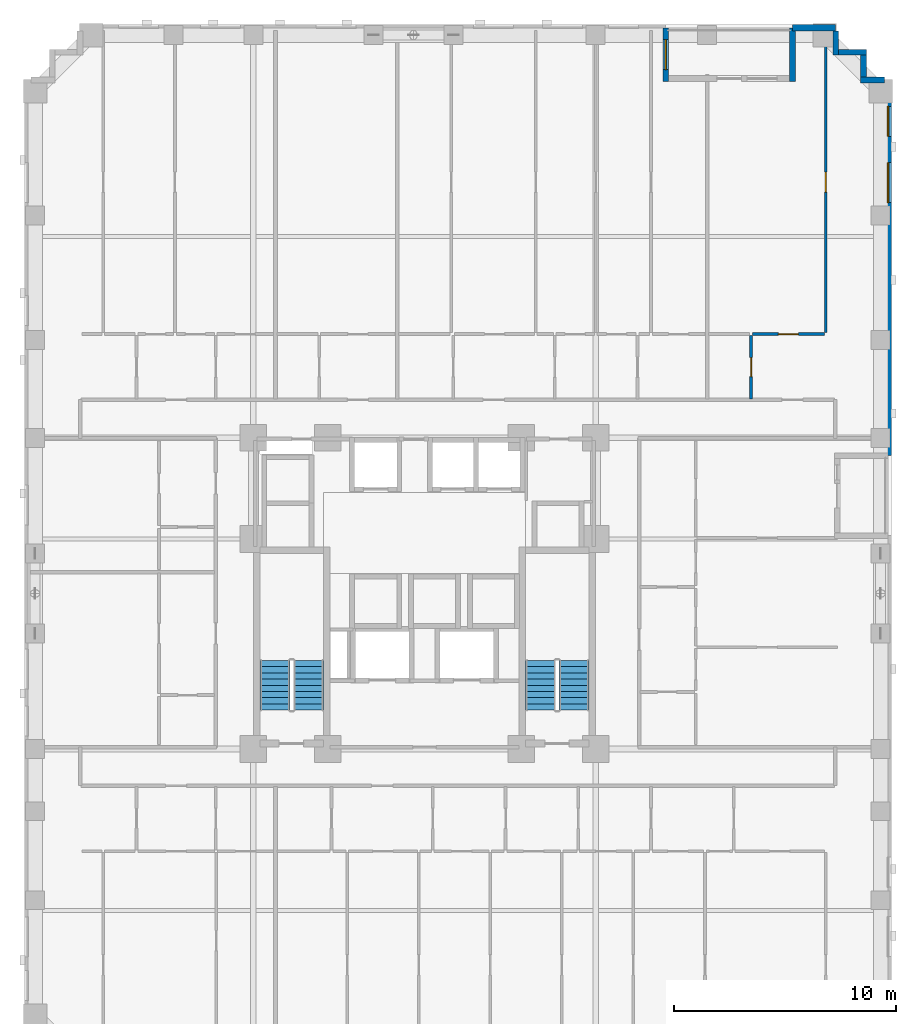
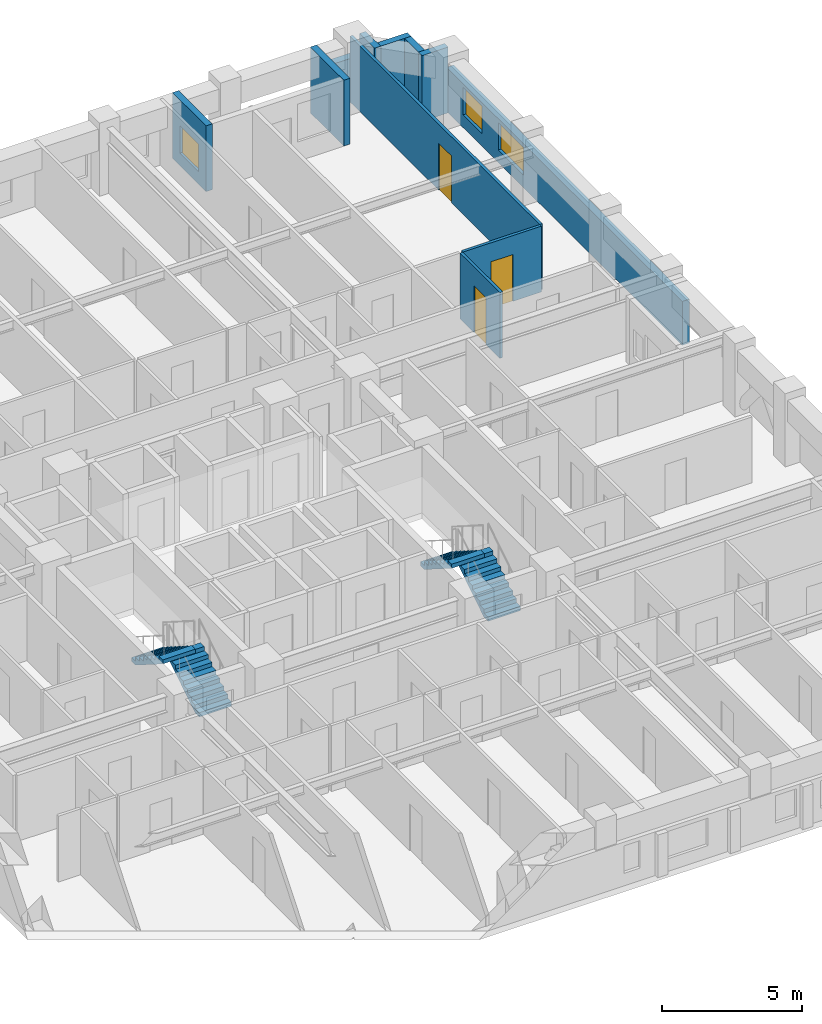
# One storey, part 9 of 14: 11 walls, 4 stair flights, 3 doors, 3 windows, 6 openings, 2 elements without a shape of their own.
"""IFC4 building model written with IfcOpenShell, lengths in metres."""

from ifc_helpers import new_model, si_unit, derived_unit, direction, frame, frame_2d, origin, place, context, subcontext, project, spatial, polyline, rectangle, outline, extrude, material, layer, layer_set, type_object, element, fill, aggregate, save


model = new_model("IFC4")

# Units and contexts
model_context = context("Model", 3, precision=1e-05, world=origin(), true_north=direction((0.0, 1.0)))
body_context = subcontext(model_context, "Body", "Model", "MODEL_VIEW")
ifc_project = project(units=[si_unit("LENGTHUNIT", "METRE"), si_unit("AREAUNIT", "SQUARE_METRE"), si_unit("VOLUMEUNIT", "CUBIC_METRE"), si_unit("PLANEANGLEUNIT", "RADIAN"), si_unit("MASSUNIT", "GRAM", prefix="KILO"), derived_unit("THERMALTRANSMITTANCEUNIT", [(si_unit("MASSUNIT", "GRAM", prefix="KILO"), 1), (si_unit("TIMEUNIT", "SECOND"), -3), (si_unit("THERMODYNAMICTEMPERATUREUNIT", "KELVIN"), -1)])], contexts=[model_context])

# Site, building, storey
site_placement = place(None, origin())
site = spatial("IfcSite", under=ifc_project, at=site_placement, CompositionType="ELEMENT")
building_placement = place(site_placement, origin())
building = spatial("IfcBuilding", under=site, at=building_placement, Name="Korrvale Station Residences", CompositionType="ELEMENT")
storey_placement = place(building_placement, frame((0.0, 0.0, 67.39990234375)))
storey = spatial("IfcBuildingStorey", under=building, at=storey_placement, Name="L18", CompositionType="ELEMENT", Elevation=67.39990234375)

# Wall, opening, window
ifc_material_1 = material(Name="Precast concrete C45/55", Category="concrete")
ifc_layer_1 = layer(ifc_material_1, 0.260009765625, Name="Precast concrete C45/55")
ifc_layer_set_1 = layer_set([ifc_layer_1], Name="Precast concrete C45/55")
wall_type_1 = type_object("IfcWallType", Name="WAL-EXT-LOG260", PredefinedType="SOLIDWALL", material=ifc_layer_set_1)
wall_1_placement = place(storey_placement, frame((36.35009765625, 47.43994140625, 0.0), z_axis=(0.0, 0.0, 1.0), x_axis=(0.0, -1.0, 0.0)))
wall_1 = element("IfcWall", 1, at=wall_1_placement, inside=storey, type_object=wall_type_1, Name="L18 Recessed Loggia Wall BAL-L18-N1-L", PredefinedType="SOLIDWALL", context=body_context, shape_type="SweptSolid", body=[
    extrude(rectangle(XDim=2.39990234375, YDim=0.260009765625, at=frame_2d((1.199951171875, 0.0))), origin(), (0.0, 0.0, 1.0), 2.880126953125),
])
opening_1_placement = place(wall_1_placement, frame((0.52490234375, 0.0, 0.550048828125)))
opening_1 = element("IfcOpeningElement", 2, at=opening_1_placement, cuts=wall_1, Name="Opening W-10", PredefinedType="OPENING", context=body_context, shape_type="SweptSolid", body=[
    extrude(rectangle(XDim=1.35009765625, YDim=1.199951171875, at=frame_2d((0.675048828125, 0.60009765625))), frame((0.0, 0.14013671875, 0.0), z_axis=(0.0, -1.0, 0.0), x_axis=(1.0, 0.0, 0.0)), (0.0, 0.0, 1.0), 0.280029296875),
])
ifc_material_2 = material(Name="Thermally broken aluminium frame with triple low-e glazing", Category="aluminium")
window_type_1 = type_object("IfcWindowType", Name="WIN-W10", PartitioningType="SINGLE_PANEL", PredefinedType="WINDOW", material=ifc_material_2)
window_1_placement = place(opening_1_placement, origin())
window_1 = element("IfcWindow", 3, at=window_1_placement, inside=storey, type_object=window_type_1, Name="L18 Punched Window 21", OverallHeight=1.199951171875, OverallWidth=1.35009765625, PartitioningType="SINGLE_PANEL", PredefinedType="WINDOW", context=body_context, shape_type="SweptSolid", body=[
    extrude(rectangle(XDim=1.35009765625, YDim=1.199951171875, at=frame_2d((0.675048828125, 0.60009765625))), frame((0.0, 0.030029296875, 0.0), z_axis=(0.0, -1.0, 0.0), x_axis=(1.0, 0.0, 0.0)), (0.0, 0.0, 1.0), 0.06005859375),
])
fill(opening_1, window_1)

# Walls
wall_2_placement = place(storey_placement, frame((42.050048828125, 45.0400390625, 0.0), z_axis=(0.0, 0.0, 1.0), x_axis=(0.0, 1.0, 0.0)))
element("IfcWall", 4, at=wall_2_placement, inside=storey, type_object=wall_type_1, Name="L18 Recessed Loggia Wall BAL-L18-N1-R", PredefinedType="SOLIDWALL", context=body_context, shape_type="SweptSolid", body=[
    extrude(rectangle(XDim=2.39990234375, YDim=0.260009765625, at=frame_2d((1.199951171875, 0.0))), origin(), (0.0, 0.0, 1.0), 2.880126953125),
])
wall_3_placement = place(storey_placement, frame((44.0, 47.298095703125, 0.0), z_axis=(0.0, 0.0, 1.0), x_axis=(0.0, -1.0, 0.0)))
element("IfcWall", 5, at=wall_3_placement, inside=storey, type_object=wall_type_1, Name="L18 Serrated Corner Precast Step NE-1", PredefinedType="SOLIDWALL", context=body_context, shape_type="SweptSolid", body=[
    extrude(rectangle(XDim=1.078125, YDim=0.260009765625, at=frame_2d((0.5390625, 0.0))), origin(), (0.0, 0.0, 1.0), 2.880126953125),
])
wall_4_placement = place(storey_placement, frame((44.132080078125, 46.35009765625, 0.0), z_axis=(0.0, 0.0, 1.0), x_axis=(1.0, 0.0, 0.0)))
element("IfcWall", 6, at=wall_4_placement, inside=storey, type_object=wall_type_1, Name="L18 Serrated Corner Precast Step NE-2", PredefinedType="SOLIDWALL", context=body_context, shape_type="SweptSolid", body=[
    extrude(rectangle(XDim=1.247802734375, YDim=0.260009765625, at=frame_2d((0.6240234375, 0.0))), origin(), (0.0, 0.0, 1.0), 2.880126953125),
])
wall_5_placement = place(storey_placement, frame((45.25, 46.218017578125, 0.0), z_axis=(0.0, 0.0, 1.0), x_axis=(0.0, -1.0, 0.0)))
element("IfcWall", 7, at=wall_5_placement, inside=storey, type_object=wall_type_1, Name="L18 Serrated Corner Precast Step NE-3", PredefinedType="SOLIDWALL", context=body_context, shape_type="SweptSolid", body=[
    extrude(rectangle(XDim=0.986083984375, YDim=0.260009765625, at=frame_2d((0.4931640625, 0.0))), origin(), (0.0, 0.0, 1.0), 2.880126953125),
])
wall_6_placement = place(storey_placement, frame((45.1201171875, 45.10009765625, 0.0), z_axis=(0.0, 0.0, 1.0), x_axis=(1.0, 0.0, 0.0)))
element("IfcWall", 8, at=wall_6_placement, inside=storey, type_object=wall_type_1, Name="L18 Serrated Corner Precast Step NE-4", PredefinedType="SOLIDWALL", context=body_context, shape_type="SweptSolid", body=[
    extrude(rectangle(XDim=1.077880859375, YDim=0.260009765625, at=frame_2d((0.5390625, 0.0))), origin(), (0.0, 0.0, 1.0), 2.880126953125),
])
ifc_layer_2 = layer(ifc_material_1, 0.300048828125, Name="Precast concrete C45/55")
ifc_layer_set_2 = layer_set([ifc_layer_2], Name="Precast concrete C45/55")
wall_type_2 = type_object("IfcWallType", Name="WAL-EXT-PC300", PredefinedType="SOLIDWALL", material=ifc_layer_set_2)
wall_7_placement = place(storey_placement, frame((42.050048828125, 47.449951171875, 0.0), z_axis=(0.0, 0.0, 1.0), x_axis=(1.0, 0.0, 0.0)))
element("IfcWall", 9, at=wall_7_placement, inside=storey, type_object=wall_type_2, Name="L18 North Exterior Precast Wall 2", PredefinedType="SOLIDWALL", context=body_context, shape_type="SweptSolid", body=[
    extrude(rectangle(XDim=1.949951171875, YDim=0.300048828125, at=frame_2d((0.97509765625, 0.0))), origin(), (0.0, 0.0, 1.0), 1.9150390625),
])

# Wall, openings, windows
wall_8_placement = place(storey_placement, frame((46.35009765625, 45.10009765625, 0.0), z_axis=(0.0, 0.0, 1.0), x_axis=(0.0, -1.0, 0.0)))
wall_8 = element("IfcWall", 10, at=wall_8_placement, inside=storey, type_object=wall_type_2, Name="L18 East Exterior Precast Wall 1", PredefinedType="SOLIDWALL", context=body_context, shape_type="SweptSolid", body=[
    extrude(rectangle(XDim=16.900146484375, YDim=0.300048828125, at=frame_2d((8.4501953125, 0.0))), origin(), (0.0, 0.0, 1.0), 1.9150390625),
])
opening_2_placement = place(wall_8_placement, frame((3.715087890625, 0.0, 0.550048828125)))
opening_2 = element("IfcOpeningElement", 11, at=opening_2_placement, cuts=wall_8, Name="Opening W-09", PredefinedType="OPENING", context=body_context, shape_type="SweptSolid", body=[
    extrude(rectangle(XDim=1.800048828125, YDim=1.199951171875, at=frame_2d((0.89990234375, 0.60009765625))), frame((0.0, 0.16015625, 0.0), z_axis=(0.0, -1.0, 0.0), x_axis=(1.0, 0.0, 0.0)), (0.0, 0.0, 1.0), 0.320068359375),
])
opening_3_placement = place(wall_8_placement, frame((1.18505859375, 0.0, 0.550048828125)))
opening_3 = element("IfcOpeningElement", 12, at=opening_3_placement, cuts=wall_8, Name="Opening W-10", PredefinedType="OPENING", context=body_context, shape_type="SweptSolid", body=[
    extrude(rectangle(XDim=1.35009765625, YDim=1.199951171875, at=frame_2d((0.675048828125, 0.60009765625))), frame((0.0, 0.16015625, 0.0), z_axis=(0.0, -1.0, 0.0), x_axis=(1.0, 0.0, 0.0)), (0.0, 0.0, 1.0), 0.320068359375),
])
window_type_2 = type_object("IfcWindowType", Name="WIN-W09", PartitioningType="DOUBLE_PANEL_VERTICAL", PredefinedType="WINDOW", material=ifc_material_2)
window_2_placement = place(opening_2_placement, origin())
window_2 = element("IfcWindow", 13, at=window_2_placement, inside=storey, type_object=window_type_2, Name="L18 Punched Window 23", OverallHeight=1.199951171875, OverallWidth=1.800048828125, PartitioningType="DOUBLE_PANEL_VERTICAL", PredefinedType="WINDOW", context=body_context, shape_type="SweptSolid", body=[
    extrude(rectangle(XDim=1.800048828125, YDim=1.199951171875, at=frame_2d((0.89990234375, 0.60009765625))), frame((0.0, 0.030029296875, 0.0), z_axis=(0.0, -1.0, 0.0), x_axis=(1.0, 0.0, 0.0)), (0.0, 0.0, 1.0), 0.06005859375),
])
fill(opening_2, window_2)
window_3_placement = place(opening_3_placement, origin())
window_3 = element("IfcWindow", 14, at=window_3_placement, inside=storey, type_object=window_type_1, Name="L18 Punched Window 24", OverallHeight=1.199951171875, OverallWidth=1.35009765625, PartitioningType="SINGLE_PANEL", PredefinedType="WINDOW", context=body_context, shape_type="SweptSolid", body=[
    extrude(rectangle(XDim=1.35009765625, YDim=1.199951171875, at=frame_2d((0.675048828125, 0.60009765625))), frame((0.0, 0.030029296875, 0.0), z_axis=(0.0, -1.0, 0.0), x_axis=(1.0, 0.0, 0.0)), (0.0, 0.0, 1.0), 0.06005859375),
])
fill(opening_3, window_3)

# Wall, opening, door
ifc_material_3 = material(Name="Acoustic steel-stud gypsum board partition", Category="steel")
ifc_layer_3 = layer(ifc_material_3, 0.1201171875, Name="Acoustic steel-stud gypsum board partition")
ifc_layer_set_3 = layer_set([ifc_layer_3], Name="Acoustic steel-stud gypsum board partition")
wall_type_3 = type_object("IfcWallType", Name="WAL-PART-125", PredefinedType="PARTITIONING", material=ifc_layer_set_3)
wall_9_placement = place(storey_placement, frame((40.18994140625, 30.760009765625, 0.0), z_axis=(0.0, 0.0, 1.0), x_axis=(0.0, 1.0, 0.0)))
wall_9 = element("IfcWall", 15, at=wall_9_placement, inside=storey, type_object=wall_type_3, Name="L18 Suite Partition U06-V01", PredefinedType="PARTITIONING", context=body_context, shape_type="SweptSolid", body=[
    extrude(rectangle(XDim=2.85009765625, YDim=0.1201171875, at=frame_2d((1.425048828125, 0.0))), origin(), (0.0, 0.0, 1.0), 2.880126953125),
])
opening_4_placement = place(wall_9_placement, frame((0.9951171875, 0.0, 0.0)))
opening_4 = element("IfcOpeningElement", 16, at=opening_4_placement, cuts=wall_9, Name="Opening DB-860", PredefinedType="OPENING", context=body_context, shape_type="SweptSolid", body=[
    extrude(rectangle(XDim=0.860107421875, YDim=2.050048828125, at=frame_2d((0.43017578125, 1.02490234375))), frame((0.0, 0.070068359375, 0.0), z_axis=(0.0, -1.0, 0.0), x_axis=(1.0, 0.0, 0.0)), (0.0, 0.0, 1.0), 0.14013671875),
])
ifc_material_4 = material(Name="Moisture-resistant solid-core bathroom door", Category="timber")
door_type_1 = type_object("IfcDoorType", Name="DR-BATH-860", OperationType="NOTDEFINED", PredefinedType="DOOR", material=ifc_material_4)
door_1_placement = place(opening_4_placement, origin())
door_1 = element("IfcDoor", 17, at=door_1_placement, inside=storey, type_object=door_type_1, Name="L18 Studio Apartment L18-U06 Bathroom Door", OperationType="SINGLE_SWING_LEFT", OverallHeight=2.050048828125, OverallWidth=0.860107421875, PredefinedType="DOOR", context=body_context, shape_type="SweptSolid", body=[
    extrude(rectangle(XDim=0.860107421875, YDim=2.050048828125, at=frame_2d((0.43017578125, 1.02490234375))), frame((0.0, 0.02490234375, 0.0), z_axis=(0.0, -1.0, 0.0), x_axis=(1.0, 0.0, 0.0)), (0.0, 0.0, 1.0), 0.050048828125),
])
fill(opening_4, door_1)

wall_10_placement = place(storey_placement, frame((40.25, 33.669921875, 0.0), z_axis=(0.0, 0.0, 1.0), x_axis=(1.0, 0.0, 0.0)))
wall_10 = element("IfcWall", 18, at=wall_10_placement, inside=storey, type_object=wall_type_3, Name="L18 Suite Partition U06-H12", PredefinedType="PARTITIONING", context=body_context, shape_type="SweptSolid", body=[
    extrude(rectangle(XDim=3.239990234375, YDim=0.1201171875, at=frame_2d((1.6201171875, 0.0))), origin(), (0.0, 0.0, 1.0), 2.880126953125),
])
opening_5_placement = place(wall_10_placement, frame((1.169921875, 0.0, 0.0)))
opening_5 = element("IfcOpeningElement", 19, at=opening_5_placement, cuts=wall_10, Name="Opening DI-900", PredefinedType="OPENING", context=body_context, shape_type="SweptSolid", body=[
    extrude(rectangle(XDim=0.89990234375, YDim=2.050048828125, at=frame_2d((0.449951171875, 1.02490234375))), frame((0.0, 0.070068359375, 0.0), z_axis=(0.0, -1.0, 0.0), x_axis=(1.0, 0.0, 0.0)), (0.0, 0.0, 1.0), 0.14013671875),
])
ifc_material_5 = material(Name="Painted solid-core timber interior room door", Category="wood")
door_type_2 = type_object("IfcDoorType", Name="DR-INT-900", OperationType="NOTDEFINED", PredefinedType="DOOR", material=ifc_material_5)
door_2_placement = place(opening_5_placement, origin())
door_2 = element("IfcDoor", 20, at=door_2_placement, inside=storey, type_object=door_type_2, Name="L18 Studio Apartment L18-U06 Kitchen Door", OperationType="SINGLE_SWING_RIGHT", OverallHeight=2.050048828125, OverallWidth=0.89990234375, PredefinedType="DOOR", context=body_context, shape_type="SweptSolid", body=[
    extrude(rectangle(XDim=0.89990234375, YDim=2.050048828125, at=frame_2d((0.449951171875, 1.02490234375))), frame((0.0, 0.02490234375, 0.0), z_axis=(0.0, -1.0, 0.0), x_axis=(1.0, 0.0, 0.0)), (0.0, 0.0, 1.0), 0.050048828125),
])
fill(opening_5, door_2)

wall_11_placement = place(storey_placement, frame((43.550048828125, 33.72998046875, 0.0), z_axis=(0.0, 0.0, 1.0), x_axis=(0.0, 1.0, 0.0)))
wall_11 = element("IfcWall", 21, at=wall_11_placement, inside=storey, type_object=wall_type_3, Name="L18 Suite Partition U06-V23", PredefinedType="PARTITIONING", context=body_context, shape_type="SweptSolid", body=[
    extrude(rectangle(XDim=13.590087890625, YDim=0.1201171875, at=frame_2d((6.794921875, 0.0))), origin(), (0.0, 0.0, 1.0), 2.880126953125),
])
opening_6_placement = place(wall_11_placement, frame((6.330078125, 0.0, 0.0)))
opening_6 = element("IfcOpeningElement", 22, at=opening_6_placement, cuts=wall_11, Name="Opening DI-900", PredefinedType="OPENING", context=body_context, shape_type="SweptSolid", body=[
    extrude(rectangle(XDim=0.89990234375, YDim=2.050048828125, at=frame_2d((0.449951171875, 1.02490234375))), frame((0.0, 0.070068359375, 0.0), z_axis=(0.0, -1.0, 0.0), x_axis=(1.0, 0.0, 0.0)), (0.0, 0.0, 1.0), 0.14013671875),
])
door_3_placement = place(opening_6_placement, origin())
door_3 = element("IfcDoor", 23, at=door_3_placement, inside=storey, type_object=door_type_2, Name="L18 Studio Apartment L18-U06 Studio Living Room Door", OperationType="SINGLE_SWING_LEFT", OverallHeight=2.050048828125, OverallWidth=0.89990234375, PredefinedType="DOOR", context=body_context, shape_type="SweptSolid", body=[
    extrude(rectangle(XDim=0.89990234375, YDim=2.050048828125, at=frame_2d((0.449951171875, 1.02490234375))), frame((0.0, 0.02490234375, 0.0), z_axis=(0.0, -1.0, 0.0), x_axis=(1.0, 0.0, 0.0)), (0.0, 0.0, 1.0), 0.050048828125),
])
fill(opening_6, door_3)

# Stair, stair flights
ifc_material_6 = material(Name="Concrete C50/60", Category="concrete")
stair_type = type_object("IfcStairType", Name="STR-DL-1350-18R-1778", PredefinedType="HALF_TURN_STAIR", material=ifc_material_6)
stair_1_placement = place(storey_placement, origin())
stair_1 = element("IfcStair", 24, at=stair_1_placement, inside=storey, type_object=stair_type, Name="L18 Exit Stair 1", PredefinedType="HALF_TURN_STAIR")
stair_flight_type = type_object("IfcStairFlightType", Name="FLT-DL-1350-18R-1778", PredefinedType="STRAIGHT", material=ifc_material_6)
stair_flight_1_placement = place(storey_placement, frame((20.27490234375, 16.75, 0.0), z_axis=(0.0, 0.0, 1.0), x_axis=(0.0, 1.0, 0.0)))
stair_flight_1 = element("IfcStairFlight", 25, at=stair_flight_1_placement, type_object=stair_flight_type, Name="ST-1 flight 1", NumberOfRisers=9, NumberOfTreads=8, PredefinedType="STRAIGHT", RiserHeight=0.177777778, TreadLength=0.28, context=body_context, shape_type="SweptSolid", body=[
    extrude(outline(polyline([(0.0, 0.0), (0.0, 0.177734375), (0.280029296875, 0.177734375), (0.280029296875, 0.35546875), (0.56005859375, 0.35546875), (0.56005859375, 0.533447265625), (0.840087890625, 0.533447265625), (0.840087890625, 0.711181640625), (1.1201171875, 0.711181640625), (1.1201171875, 0.888916015625), (1.39990234375, 0.888916015625), (1.39990234375, 1.066650390625), (1.679931640625, 1.066650390625), (1.679931640625, 1.244384765625), (1.9599609375, 1.244384765625), (1.9599609375, 1.422119140625), (2.239990234375, 1.422119140625), (2.239990234375, 1.60009765625), (2.239990234375, 1.24462890625), (0.27978515625, 0.0), (0.0, 0.0)])), frame((0.0, 0.675048828125, 0.0), z_axis=(0.0, -1.0, 0.0), x_axis=(1.0, 0.0, 0.0)), (0.0, 0.0, 1.0), 1.35009765625),
])
stair_flight_2_placement = place(storey_placement, frame((18.77490234375, 18.989990234375, 1.60009765625), z_axis=(0.0, 0.0, 1.0), x_axis=(0.0, -1.0, 0.0)))
stair_flight_2 = element("IfcStairFlight", 26, at=stair_flight_2_placement, type_object=stair_flight_type, Name="ST-1 flight 2", NumberOfRisers=9, NumberOfTreads=8, PredefinedType="STRAIGHT", RiserHeight=0.177777778, TreadLength=0.28, context=body_context, shape_type="SweptSolid", body=[
    extrude(outline(polyline([(0.0, 0.0), (0.0, 0.177734375), (0.280029296875, 0.177734375), (0.280029296875, 0.35546875), (0.56005859375, 0.35546875), (0.56005859375, 0.533447265625), (0.840087890625, 0.533447265625), (0.840087890625, 0.711181640625), (1.1201171875, 0.711181640625), (1.1201171875, 0.888916015625), (1.39990234375, 0.888916015625), (1.39990234375, 1.066650390625), (1.679931640625, 1.066650390625), (1.679931640625, 1.244384765625), (1.9599609375, 1.244384765625), (1.9599609375, 1.422119140625), (2.239990234375, 1.422119140625), (2.239990234375, 1.60009765625), (2.239990234375, 1.24462890625), (0.27978515625, 0.0), (0.0, 0.0)])), frame((0.0, 0.675048828125, 0.0), z_axis=(0.0, -1.0, 0.0), x_axis=(1.0, 0.0, 0.0)), (0.0, 0.0, 1.0), 1.35009765625),
])
aggregate(stair_1, [stair_flight_1, stair_flight_2])

stair_2_placement = place(storey_placement, origin())
stair_2 = element("IfcStair", 27, at=stair_2_placement, inside=storey, type_object=stair_type, Name="L18 Exit Stair 2", PredefinedType="HALF_TURN_STAIR")
stair_flight_3_placement = place(storey_placement, frame((32.22509765625, 16.75, 0.0), z_axis=(0.0, 0.0, 1.0), x_axis=(0.0, 1.0, 0.0)))
stair_flight_3 = element("IfcStairFlight", 28, at=stair_flight_3_placement, type_object=stair_flight_type, Name="ST-2 flight 1", NumberOfRisers=9, NumberOfTreads=8, PredefinedType="STRAIGHT", RiserHeight=0.177777778, TreadLength=0.28, context=body_context, shape_type="SweptSolid", body=[
    extrude(outline(polyline([(0.0, 0.0), (0.0, 0.177734375), (0.280029296875, 0.177734375), (0.280029296875, 0.35546875), (0.56005859375, 0.35546875), (0.56005859375, 0.533447265625), (0.840087890625, 0.533447265625), (0.840087890625, 0.711181640625), (1.1201171875, 0.711181640625), (1.1201171875, 0.888916015625), (1.39990234375, 0.888916015625), (1.39990234375, 1.066650390625), (1.679931640625, 1.066650390625), (1.679931640625, 1.244384765625), (1.9599609375, 1.244384765625), (1.9599609375, 1.422119140625), (2.239990234375, 1.422119140625), (2.239990234375, 1.60009765625), (2.239990234375, 1.24462890625), (0.27978515625, 0.0), (0.0, 0.0)])), frame((0.0, 0.675048828125, 0.0), z_axis=(0.0, -1.0, 0.0), x_axis=(1.0, 0.0, 0.0)), (0.0, 0.0, 1.0), 1.35009765625),
])
stair_flight_4_placement = place(storey_placement, frame((30.72509765625, 18.989990234375, 1.60009765625), z_axis=(0.0, 0.0, 1.0), x_axis=(0.0, -1.0, 0.0)))
stair_flight_4 = element("IfcStairFlight", 29, at=stair_flight_4_placement, type_object=stair_flight_type, Name="ST-2 flight 2", NumberOfRisers=9, NumberOfTreads=8, PredefinedType="STRAIGHT", RiserHeight=0.177777778, TreadLength=0.28, context=body_context, shape_type="SweptSolid", body=[
    extrude(outline(polyline([(0.0, 0.0), (0.0, 0.177734375), (0.280029296875, 0.177734375), (0.280029296875, 0.35546875), (0.56005859375, 0.35546875), (0.56005859375, 0.533447265625), (0.840087890625, 0.533447265625), (0.840087890625, 0.711181640625), (1.1201171875, 0.711181640625), (1.1201171875, 0.888916015625), (1.39990234375, 0.888916015625), (1.39990234375, 1.066650390625), (1.679931640625, 1.066650390625), (1.679931640625, 1.244384765625), (1.9599609375, 1.244384765625), (1.9599609375, 1.422119140625), (2.239990234375, 1.422119140625), (2.239990234375, 1.60009765625), (2.239990234375, 1.24462890625), (0.27978515625, 0.0), (0.0, 0.0)])), frame((0.0, 0.675048828125, 0.0), z_axis=(0.0, -1.0, 0.0), x_axis=(1.0, 0.0, 0.0)), (0.0, 0.0, 1.0), 1.35009765625),
])
aggregate(stair_2, [stair_flight_3, stair_flight_4])

save(model, "model.ifc")
